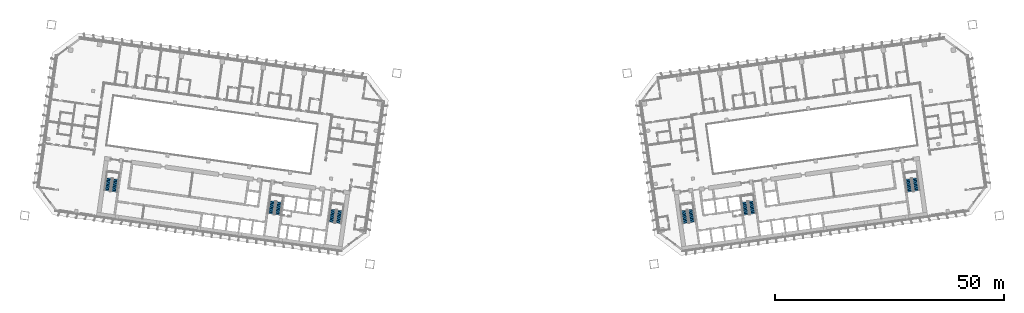
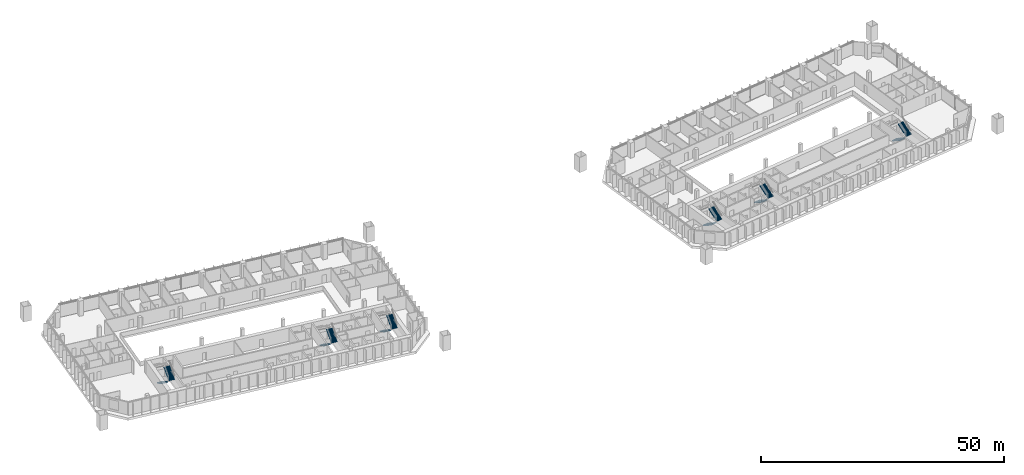
# One storey, part 22 of 24: 12 stair flights, 6 elements without a shape of their own.
"""IFC4 building model written with IfcOpenShell, lengths in metres."""

from ifc_helpers import new_model, si_unit, direction, frame, origin, place, context, subcontext, project, spatial, polyline, outline, extrude, material, type_object, element, aggregate, save


model = new_model("IFC4")

# Units and contexts
model_context = context("Model", 3, precision=1e-05, world=origin(), true_north=direction((0.0, 1.0)))
body_context = subcontext(model_context, "Body", "Model", "MODEL_VIEW")
ifc_project = project(units=[si_unit("LENGTHUNIT", "METRE"), si_unit("AREAUNIT", "SQUARE_METRE"), si_unit("VOLUMEUNIT", "CUBIC_METRE"), si_unit("PLANEANGLEUNIT", "RADIAN"), si_unit("MASSUNIT", "GRAM", prefix="KILO")], contexts=[model_context])

# Site, building, storey
site_placement = place(None, origin())
site = spatial("IfcSite", under=ifc_project, at=site_placement, CompositionType="ELEMENT")
building_placement = place(site_placement, origin())
building = spatial("IfcBuilding", under=site, at=building_placement, Name="Mirante Cascada Hotel Towers", CompositionType="ELEMENT")
storey_placement = place(building_placement, frame((0.0, 0.0, 47.1)))
storey = spatial("IfcBuildingStorey", under=building, at=storey_placement, Name="L08", CompositionType="ELEMENT", Elevation=47.1)

# Stair, stair flights
ifc_material_1 = material(Name="Concrete C35/45", Category="concrete")
stair_type = type_object("IfcStairType", Name="Exit stair half-turn 1350 concrete C35/45", PredefinedType="HALF_TURN_STAIR", material=ifc_material_1)
stair_1_placement = place(storey_placement, origin())
stair_1 = element("IfcStair", 1, at=stair_1_placement, inside=storey, type_object=stair_type, Name="L08 Exit stair A", PredefinedType="HALF_TURN_STAIR")
ifc_material_2 = material(Name="Concrete C35/45", Category="concrete")
stair_flight_type = type_object("IfcStairFlightType", Name="Exit stair flight 1350 concrete C35/45", PredefinedType="STRAIGHT", material=ifc_material_2)
stair_flight_1_placement = place(storey_placement, frame((-38.9417, -11.195, 0.0), z_axis=(0.0, 0.0, 1.0), x_axis=(-0.1391731, -0.9902681, 0.0)))
stair_flight_1 = element("IfcStairFlight", 2, at=stair_flight_1_placement, type_object=stair_flight_type, Name="ST1-A flight 1", NumberOfRisers=11, NumberOfTreads=10, PredefinedType="STRAIGHT", RiserHeight=0.172727273, TreadLength=0.28, context=body_context, shape_type="SweptSolid", body=[
    extrude(outline(polyline([(0.0, 0.0), (0.0, 0.1727), (0.28, 0.1727), (0.28, 0.3455), (0.56, 0.3455), (0.56, 0.5182), (0.84, 0.5182), (0.84, 0.6909), (1.12, 0.6909), (1.12, 0.8636), (1.4, 0.8636), (1.4, 1.0364), (1.68, 1.0364), (1.68, 1.2091), (1.96, 1.2091), (1.96, 1.3818), (2.24, 1.3818), (2.24, 1.5545), (2.52, 1.5545), (2.52, 1.7273), (2.8, 1.7273), (2.8, 1.9), (2.8, 1.551), (0.2857, 0.0), (0.0, 0.0)])), frame((0.0, 0.675, 0.0), z_axis=(0.0, -1.0, 0.0), x_axis=(1.0, 0.0, 0.0)), (0.0, 0.0, 1.0), 1.35),
])
stair_flight_2_placement = place(storey_placement, frame((-37.846, -14.1765, 1.9), z_axis=(0.0, 0.0, 1.0), x_axis=(0.1391731, 0.9902681, 0.0)))
stair_flight_2 = element("IfcStairFlight", 3, at=stair_flight_2_placement, type_object=stair_flight_type, Name="ST1-A flight 2", NumberOfRisers=11, NumberOfTreads=10, PredefinedType="STRAIGHT", RiserHeight=0.172727273, TreadLength=0.28, context=body_context, shape_type="SweptSolid", body=[
    extrude(outline(polyline([(0.0, 0.0), (0.0, 0.1727), (0.28, 0.1727), (0.28, 0.3455), (0.56, 0.3455), (0.56, 0.5182), (0.84, 0.5182), (0.84, 0.6909), (1.12, 0.6909), (1.12, 0.8636), (1.4, 0.8636), (1.4, 1.0364), (1.68, 1.0364), (1.68, 1.2091), (1.96, 1.2091), (1.96, 1.3818), (2.24, 1.3818), (2.24, 1.5545), (2.52, 1.5545), (2.52, 1.7273), (2.8, 1.7273), (2.8, 1.9), (2.8, 1.551), (0.2857, 0.0), (0.0, 0.0)])), frame((0.0, 0.675, 0.0), z_axis=(0.0, -1.0, 0.0), x_axis=(1.0, 0.0, 0.0)), (0.0, 0.0, 1.0), 1.35),
])
aggregate(stair_1, [stair_flight_1, stair_flight_2])

stair_2_placement = place(storey_placement, origin())
stair_2 = element("IfcStair", 4, at=stair_2_placement, inside=storey, type_object=stair_type, Name="L08 Exit stair B", PredefinedType="HALF_TURN_STAIR")
stair_flight_3_placement = place(storey_placement, frame((-52.1618, -9.3371, 0.0), z_axis=(0.0, 0.0, 1.0), x_axis=(-0.1391731, -0.9902681, 0.0)))
stair_flight_3 = element("IfcStairFlight", 5, at=stair_flight_3_placement, type_object=stair_flight_type, Name="ST1-B flight 1", NumberOfRisers=11, NumberOfTreads=10, PredefinedType="STRAIGHT", RiserHeight=0.172727273, TreadLength=0.28, context=body_context, shape_type="SweptSolid", body=[
    extrude(outline(polyline([(0.0, 0.0), (0.0, 0.1727), (0.28, 0.1727), (0.28, 0.3455), (0.56, 0.3455), (0.56, 0.5182), (0.84, 0.5182), (0.84, 0.6909), (1.12, 0.6909), (1.12, 0.8636), (1.4, 0.8636), (1.4, 1.0364), (1.68, 1.0364), (1.68, 1.2091), (1.96, 1.2091), (1.96, 1.3818), (2.24, 1.3818), (2.24, 1.5545), (2.52, 1.5545), (2.52, 1.7273), (2.8, 1.7273), (2.8, 1.9), (2.8, 1.551), (0.2857, 0.0), (0.0, 0.0)])), frame((0.0, 0.675, 0.0), z_axis=(0.0, -1.0, 0.0), x_axis=(1.0, 0.0, 0.0)), (0.0, 0.0, 1.0), 1.35),
])
stair_flight_4_placement = place(storey_placement, frame((-51.0661, -12.3186, 1.9), z_axis=(0.0, 0.0, 1.0), x_axis=(0.1391731, 0.9902681, 0.0)))
stair_flight_4 = element("IfcStairFlight", 6, at=stair_flight_4_placement, type_object=stair_flight_type, Name="ST1-B flight 2", NumberOfRisers=11, NumberOfTreads=10, PredefinedType="STRAIGHT", RiserHeight=0.172727273, TreadLength=0.28, context=body_context, shape_type="SweptSolid", body=[
    extrude(outline(polyline([(0.0, 0.0), (0.0, 0.1727), (0.28, 0.1727), (0.28, 0.3455), (0.56, 0.3455), (0.56, 0.5182), (0.84, 0.5182), (0.84, 0.6909), (1.12, 0.6909), (1.12, 0.8636), (1.4, 0.8636), (1.4, 1.0364), (1.68, 1.0364), (1.68, 1.2091), (1.96, 1.2091), (1.96, 1.3818), (2.24, 1.3818), (2.24, 1.5545), (2.52, 1.5545), (2.52, 1.7273), (2.8, 1.7273), (2.8, 1.9), (2.8, 1.551), (0.2857, 0.0), (0.0, 0.0)])), frame((0.0, 0.675, 0.0), z_axis=(0.0, -1.0, 0.0), x_axis=(1.0, 0.0, 0.0)), (0.0, 0.0, 1.0), 1.35),
])
aggregate(stair_2, [stair_flight_3, stair_flight_4])

stair_3_placement = place(storey_placement, origin())
stair_3 = element("IfcStair", 7, at=stair_3_placement, inside=storey, type_object=stair_type, Name="L08 Exit stair C", PredefinedType="HALF_TURN_STAIR")
stair_flight_5_placement = place(storey_placement, frame((-87.8115, -4.3268, 0.0), z_axis=(0.0, 0.0, 1.0), x_axis=(-0.1391731, -0.9902681, 0.0)))
stair_flight_5 = element("IfcStairFlight", 8, at=stair_flight_5_placement, type_object=stair_flight_type, Name="ST1-C flight 1", NumberOfRisers=11, NumberOfTreads=10, PredefinedType="STRAIGHT", RiserHeight=0.172727273, TreadLength=0.28, context=body_context, shape_type="SweptSolid", body=[
    extrude(outline(polyline([(0.0, 0.0), (0.0, 0.1727), (0.28, 0.1727), (0.28, 0.3455), (0.56, 0.3455), (0.56, 0.5182), (0.84, 0.5182), (0.84, 0.6909), (1.12, 0.6909), (1.12, 0.8636), (1.4, 0.8636), (1.4, 1.0364), (1.68, 1.0364), (1.68, 1.2091), (1.96, 1.2091), (1.96, 1.3818), (2.24, 1.3818), (2.24, 1.5545), (2.52, 1.5545), (2.52, 1.7273), (2.8, 1.7273), (2.8, 1.9), (2.8, 1.551), (0.2857, 0.0), (0.0, 0.0)])), frame((0.0, 0.675, 0.0), z_axis=(0.0, -1.0, 0.0), x_axis=(1.0, 0.0, 0.0)), (0.0, 0.0, 1.0), 1.35),
])
stair_flight_6_placement = place(storey_placement, frame((-86.7157, -7.3084, 1.9), z_axis=(0.0, 0.0, 1.0), x_axis=(0.1391731, 0.9902681, 0.0)))
stair_flight_6 = element("IfcStairFlight", 9, at=stair_flight_6_placement, type_object=stair_flight_type, Name="ST1-C flight 2", NumberOfRisers=11, NumberOfTreads=10, PredefinedType="STRAIGHT", RiserHeight=0.172727273, TreadLength=0.28, context=body_context, shape_type="SweptSolid", body=[
    extrude(outline(polyline([(0.0, 0.0), (0.0, 0.1727), (0.28, 0.1727), (0.28, 0.3455), (0.56, 0.3455), (0.56, 0.5182), (0.84, 0.5182), (0.84, 0.6909), (1.12, 0.6909), (1.12, 0.8636), (1.4, 0.8636), (1.4, 1.0364), (1.68, 1.0364), (1.68, 1.2091), (1.96, 1.2091), (1.96, 1.3818), (2.24, 1.3818), (2.24, 1.5545), (2.52, 1.5545), (2.52, 1.7273), (2.8, 1.7273), (2.8, 1.9), (2.8, 1.551), (0.2857, 0.0), (0.0, 0.0)])), frame((0.0, 0.675, 0.0), z_axis=(0.0, -1.0, 0.0), x_axis=(1.0, 0.0, 0.0)), (0.0, 0.0, 1.0), 1.35),
])
aggregate(stair_3, [stair_flight_5, stair_flight_6])

stair_4_placement = place(storey_placement, origin())
stair_4 = element("IfcStair", 10, at=stair_4_placement, inside=storey, type_object=stair_type, Name="L08 Exit stair A", PredefinedType="HALF_TURN_STAIR")
stair_flight_7_placement = place(storey_placement, frame((37.4563, -11.4038, 0.0), z_axis=(0.0, 0.0, 1.0), x_axis=(0.1391731, -0.9902681, 0.0)))
stair_flight_7 = element("IfcStairFlight", 11, at=stair_flight_7_placement, type_object=stair_flight_type, Name="ST2-A flight 1", NumberOfRisers=11, NumberOfTreads=10, PredefinedType="STRAIGHT", RiserHeight=0.172727273, TreadLength=0.28, context=body_context, shape_type="SweptSolid", body=[
    extrude(outline(polyline([(0.0, 0.0), (0.0, 0.1727), (0.28, 0.1727), (0.28, 0.3455), (0.56, 0.3455), (0.56, 0.5182), (0.84, 0.5182), (0.84, 0.6909), (1.12, 0.6909), (1.12, 0.8636), (1.4, 0.8636), (1.4, 1.0364), (1.68, 1.0364), (1.68, 1.2091), (1.96, 1.2091), (1.96, 1.3818), (2.24, 1.3818), (2.24, 1.5545), (2.52, 1.5545), (2.52, 1.7273), (2.8, 1.7273), (2.8, 1.9), (2.8, 1.551), (0.2857, 0.0), (0.0, 0.0)])), frame((0.0, 0.675, 0.0), z_axis=(0.0, -1.0, 0.0), x_axis=(1.0, 0.0, 0.0)), (0.0, 0.0, 1.0), 1.35),
])
stair_flight_8_placement = place(storey_placement, frame((39.3314, -13.9678, 1.9), z_axis=(0.0, 0.0, 1.0), x_axis=(-0.1391731, 0.9902681, 0.0)))
stair_flight_8 = element("IfcStairFlight", 12, at=stair_flight_8_placement, type_object=stair_flight_type, Name="ST2-A flight 2", NumberOfRisers=11, NumberOfTreads=10, PredefinedType="STRAIGHT", RiserHeight=0.172727273, TreadLength=0.28, context=body_context, shape_type="SweptSolid", body=[
    extrude(outline(polyline([(0.0, 0.0), (0.0, 0.1727), (0.28, 0.1727), (0.28, 0.3455), (0.56, 0.3455), (0.56, 0.5182), (0.84, 0.5182), (0.84, 0.6909), (1.12, 0.6909), (1.12, 0.8636), (1.4, 0.8636), (1.4, 1.0364), (1.68, 1.0364), (1.68, 1.2091), (1.96, 1.2091), (1.96, 1.3818), (2.24, 1.3818), (2.24, 1.5545), (2.52, 1.5545), (2.52, 1.7273), (2.8, 1.7273), (2.8, 1.9), (2.8, 1.551), (0.2857, 0.0), (0.0, 0.0)])), frame((0.0, 0.675, 0.0), z_axis=(0.0, -1.0, 0.0), x_axis=(1.0, 0.0, 0.0)), (0.0, 0.0, 1.0), 1.35),
])
aggregate(stair_4, [stair_flight_7, stair_flight_8])

stair_5_placement = place(storey_placement, origin())
stair_5 = element("IfcStair", 13, at=stair_5_placement, inside=storey, type_object=stair_type, Name="L08 Exit stair B", PredefinedType="HALF_TURN_STAIR")
stair_flight_9_placement = place(storey_placement, frame((50.6764, -9.5458, 0.0), z_axis=(0.0, 0.0, 1.0), x_axis=(0.1391731, -0.9902681, 0.0)))
stair_flight_9 = element("IfcStairFlight", 14, at=stair_flight_9_placement, type_object=stair_flight_type, Name="ST2-B flight 1", NumberOfRisers=11, NumberOfTreads=10, PredefinedType="STRAIGHT", RiserHeight=0.172727273, TreadLength=0.28, context=body_context, shape_type="SweptSolid", body=[
    extrude(outline(polyline([(0.0, 0.0), (0.0, 0.1727), (0.28, 0.1727), (0.28, 0.3455), (0.56, 0.3455), (0.56, 0.5182), (0.84, 0.5182), (0.84, 0.6909), (1.12, 0.6909), (1.12, 0.8636), (1.4, 0.8636), (1.4, 1.0364), (1.68, 1.0364), (1.68, 1.2091), (1.96, 1.2091), (1.96, 1.3818), (2.24, 1.3818), (2.24, 1.5545), (2.52, 1.5545), (2.52, 1.7273), (2.8, 1.7273), (2.8, 1.9), (2.8, 1.551), (0.2857, 0.0), (0.0, 0.0)])), frame((0.0, 0.675, 0.0), z_axis=(0.0, -1.0, 0.0), x_axis=(1.0, 0.0, 0.0)), (0.0, 0.0, 1.0), 1.35),
])
stair_flight_10_placement = place(storey_placement, frame((52.5515, -12.1098, 1.9), z_axis=(0.0, 0.0, 1.0), x_axis=(-0.1391731, 0.9902681, 0.0)))
stair_flight_10 = element("IfcStairFlight", 15, at=stair_flight_10_placement, type_object=stair_flight_type, Name="ST2-B flight 2", NumberOfRisers=11, NumberOfTreads=10, PredefinedType="STRAIGHT", RiserHeight=0.172727273, TreadLength=0.28, context=body_context, shape_type="SweptSolid", body=[
    extrude(outline(polyline([(0.0, 0.0), (0.0, 0.1727), (0.28, 0.1727), (0.28, 0.3455), (0.56, 0.3455), (0.56, 0.5182), (0.84, 0.5182), (0.84, 0.6909), (1.12, 0.6909), (1.12, 0.8636), (1.4, 0.8636), (1.4, 1.0364), (1.68, 1.0364), (1.68, 1.2091), (1.96, 1.2091), (1.96, 1.3818), (2.24, 1.3818), (2.24, 1.5545), (2.52, 1.5545), (2.52, 1.7273), (2.8, 1.7273), (2.8, 1.9), (2.8, 1.551), (0.2857, 0.0), (0.0, 0.0)])), frame((0.0, 0.675, 0.0), z_axis=(0.0, -1.0, 0.0), x_axis=(1.0, 0.0, 0.0)), (0.0, 0.0, 1.0), 1.35),
])
aggregate(stair_5, [stair_flight_9, stair_flight_10])

stair_6_placement = place(storey_placement, origin())
stair_6 = element("IfcStair", 16, at=stair_6_placement, inside=storey, type_object=stair_type, Name="L08 Exit stair C", PredefinedType="HALF_TURN_STAIR")
stair_flight_11_placement = place(storey_placement, frame((86.326, -4.5356, 0.0), z_axis=(0.0, 0.0, 1.0), x_axis=(0.1391731, -0.9902681, 0.0)))
stair_flight_11 = element("IfcStairFlight", 17, at=stair_flight_11_placement, type_object=stair_flight_type, Name="ST2-C flight 1", NumberOfRisers=11, NumberOfTreads=10, PredefinedType="STRAIGHT", RiserHeight=0.172727273, TreadLength=0.28, context=body_context, shape_type="SweptSolid", body=[
    extrude(outline(polyline([(0.0, 0.0), (0.0, 0.1727), (0.28, 0.1727), (0.28, 0.3455), (0.56, 0.3455), (0.56, 0.5182), (0.84, 0.5182), (0.84, 0.6909), (1.12, 0.6909), (1.12, 0.8636), (1.4, 0.8636), (1.4, 1.0364), (1.68, 1.0364), (1.68, 1.2091), (1.96, 1.2091), (1.96, 1.3818), (2.24, 1.3818), (2.24, 1.5545), (2.52, 1.5545), (2.52, 1.7273), (2.8, 1.7273), (2.8, 1.9), (2.8, 1.551), (0.2857, 0.0), (0.0, 0.0)])), frame((0.0, 0.675, 0.0), z_axis=(0.0, -1.0, 0.0), x_axis=(1.0, 0.0, 0.0)), (0.0, 0.0, 1.0), 1.35),
])
stair_flight_12_placement = place(storey_placement, frame((88.2011, -7.0996, 1.9), z_axis=(0.0, 0.0, 1.0), x_axis=(-0.1391731, 0.9902681, 0.0)))
stair_flight_12 = element("IfcStairFlight", 18, at=stair_flight_12_placement, type_object=stair_flight_type, Name="ST2-C flight 2", NumberOfRisers=11, NumberOfTreads=10, PredefinedType="STRAIGHT", RiserHeight=0.172727273, TreadLength=0.28, context=body_context, shape_type="SweptSolid", body=[
    extrude(outline(polyline([(0.0, 0.0), (0.0, 0.1727), (0.28, 0.1727), (0.28, 0.3455), (0.56, 0.3455), (0.56, 0.5182), (0.84, 0.5182), (0.84, 0.6909), (1.12, 0.6909), (1.12, 0.8636), (1.4, 0.8636), (1.4, 1.0364), (1.68, 1.0364), (1.68, 1.2091), (1.96, 1.2091), (1.96, 1.3818), (2.24, 1.3818), (2.24, 1.5545), (2.52, 1.5545), (2.52, 1.7273), (2.8, 1.7273), (2.8, 1.9), (2.8, 1.551), (0.2857, 0.0), (0.0, 0.0)])), frame((0.0, 0.675, 0.0), z_axis=(0.0, -1.0, 0.0), x_axis=(1.0, 0.0, 0.0)), (0.0, 0.0, 1.0), 1.35),
])
aggregate(stair_6, [stair_flight_11, stair_flight_12])

save(model, "model.ifc")
